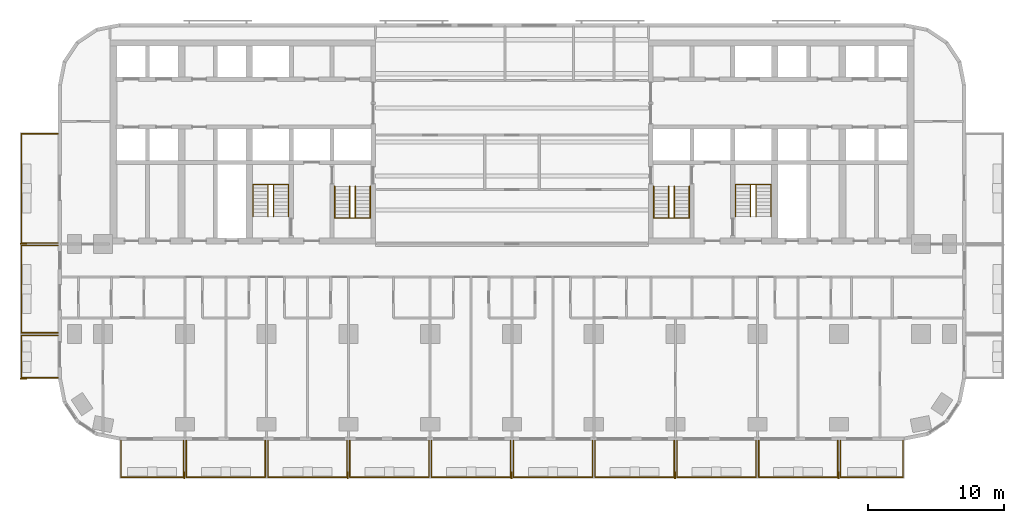
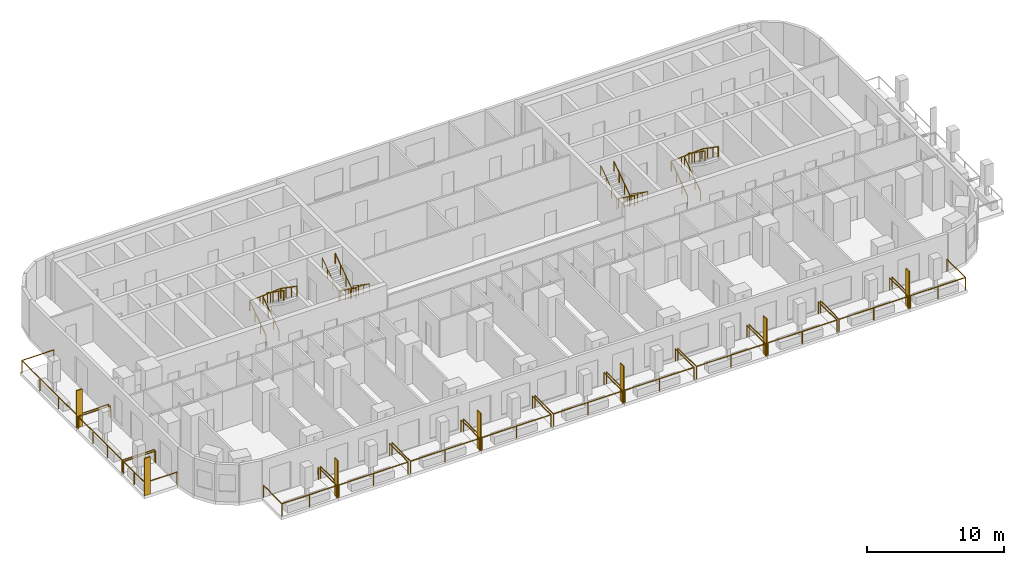
# One storey, part 13 of 15: 21 railings, 7 shading devices.
"""IFC4 building model written with IfcOpenShell, lengths in metres."""

from ifc_helpers import new_model, si_unit, direction, frame, origin, origin_2d, place, context, subcontext, project, spatial, rectangle, circle, extrude, material, layer, layer_set, type_object, element, save


model = new_model("IFC4")

# Units and contexts
model_context = context("Model", 3, precision=1e-05, world=origin(), true_north=direction((0.0, 1.0)))
body_context = subcontext(model_context, "Body", "Model", "MODEL_VIEW")
ifc_project = project(units=[si_unit("LENGTHUNIT", "METRE"), si_unit("AREAUNIT", "SQUARE_METRE"), si_unit("VOLUMEUNIT", "CUBIC_METRE"), si_unit("PLANEANGLEUNIT", "RADIAN"), si_unit("MASSUNIT", "GRAM", prefix="KILO")], contexts=[model_context])

# Site, building, storey
site_placement = place(None, origin())
site = spatial("IfcSite", under=ifc_project, at=site_placement, CompositionType="ELEMENT")
building_placement = place(site_placement, origin())
building = spatial("IfcBuilding", under=site, at=building_placement, Name="Torana Hotel and Residences", CompositionType="ELEMENT")
storey_placement = place(building_placement, frame((0.0, 0.0, 52.800048828125)))
storey = spatial("IfcBuildingStorey", under=building, at=storey_placement, Name="L12", CompositionType="ELEMENT", Elevation=52.800048828125)

# Shading devices
ifc_material_1 = material(Name="Black powder coated aluminium", Category="aluminium")
ifc_layer = layer(ifc_material_1, 0.080078125)
ifc_layer_set = layer_set([ifc_layer], Name="FN1 VERTICAL FIN 500x80")
shading_device_type = type_object("IfcShadingDeviceType", Name="FN1 VERTICAL FIN 500x80", PredefinedType="USERDEFINED", material=ifc_layer_set)
for number, where, z_axis, x_axis, name in (
    (1, (-24.0400390625, -31.949951171875, 0.0), (0.0, 0.0, 1.0), (-1.0, 0.0, 0.0), "Fin 01"),
    (2, (-12.0400390625, -31.949951171875, 0.0), (0.0, 0.0, 1.0), (-1.0, 0.0, 0.0), "Fin 03"),
    (3, (-0.0400390625, -31.949951171875, 0.0), (0.0, 0.0, 1.0), (-1.0, 0.0, 0.0), "Fin 05"),
    (4, (11.9599609375, -31.949951171875, 0.0), (0.0, 0.0, 1.0), (-1.0, 0.0, 0.0), "Fin 07"),
    (5, (23.9599609375, -31.949951171875, 0.0), (0.0, 0.0, 1.0), (-1.0, 0.0, 0.0), "Fin 09"),
    (6, (-35.85009765625, -24.860107421875, 0.0), (0.0, 0.0, 1.0), (0.0, 1.0, 0.0), "Fin 11"),
    (7, (-35.85009765625, -14.9599609375, 0.0), (0.0, 0.0, 1.0), (0.0, 1.0, 0.0), "Fin 13"),
):
    element("IfcShadingDevice", number, at=place(storey_placement, frame(where, z_axis=z_axis, x_axis=x_axis)), inside=storey, type_object=shading_device_type, Name=name, ObjectType="FIN", PredefinedType="USERDEFINED", context=body_context, shape_type="SweptSolid", body=[
        extrude(rectangle(XDim=0.080078125, YDim=0.5, at=origin_2d()), origin(), (0.0, 0.0, 1.0), 3.320068359375),
    ])

# Railings
ifc_material_2 = material(Name="Laminated glass balustrade with black handrail", Category="glass")
railing_type_1 = type_object("IfcRailingType", Name="GR1 BALCONY GUARD 1100 GLASS", PredefinedType="GUARDRAIL", material=ifc_material_2)
railing_1_placement = place(storey_placement, frame((-24.10009765625, -29.39990234375, 0.0)))
element("IfcRailing", 8, at=railing_1_placement, inside=storey, type_object=railing_type_1, Name="Balcony guard 01", PredefinedType="GUARDRAIL", context=body_context, shape_type="SweptSolid", body=[
    extrude(circle(Radius=0.02392578125, at=origin_2d()), frame((0.0, 0.0, 1.076171875), z_axis=(0.0, -1.0, 0.0), x_axis=(1.0, 0.0, 0.0)), (0.0, 0.0, 1.0), 2.7001953125),
    extrude(circle(Radius=0.02392578125, at=origin_2d()), frame((0.0, -2.7001953125, 1.076171875), z_axis=(-1.0, 0.0, 0.0), x_axis=(0.0, -1.0, 0.0)), (0.0, 0.0, 1.0), 4.599853515625),
    extrude(circle(Radius=0.02392578125, at=origin_2d()), frame((-4.599853515625, -2.7001953125, 1.076171875), z_axis=(0.0, 1.0, 0.0), x_axis=(-1.0, 0.0, 0.0)), (0.0, 0.0, 1.0), 2.7001953125),
    extrude(circle(Radius=0.02099609375, at=origin_2d()), origin(), (0.0, 0.0, 1.0), 1.052001953125),
    extrude(circle(Radius=0.02099609375, at=origin_2d()), frame((0.0, -2.7001953125, 0.0)), (0.0, 0.0, 1.0), 1.052001953125),
    extrude(circle(Radius=0.02099609375, at=origin_2d()), frame((-2.2998046875, -2.7001953125, 0.0)), (0.0, 0.0, 1.0), 1.052001953125),
    extrude(circle(Radius=0.02099609375, at=origin_2d()), frame((-4.599853515625, -2.7001953125, 0.0)), (0.0, 0.0, 1.0), 1.052001953125),
    extrude(circle(Radius=0.02099609375, at=origin_2d()), frame((-4.599853515625, 0.0, 0.0)), (0.0, 0.0, 1.0), 1.052001953125),
])
for number, where, name in (
    (9, (-18.10009765625, -29.39990234375, 0.0), "Balcony guard 02"),
    (10, (-12.10009765625, -29.39990234375, 0.0), "Balcony guard 03"),
    (11, (-6.10009765625, -29.39990234375, 0.0), "Balcony guard 04"),
    (12, (-0.10009765625, -29.39990234375, 0.0), "Balcony guard 05"),
    (13, (5.89990234375, -29.39990234375, 0.0), "Balcony guard 06"),
    (14, (11.89990234375, -29.39990234375, 0.0), "Balcony guard 07"),
    (15, (17.89990234375, -29.39990234375, 0.0), "Balcony guard 08"),
    (16, (23.89990234375, -29.39990234375, 0.0), "Balcony guard 09"),
):
    element("IfcRailing", number, at=place(storey_placement, frame(where)), inside=storey, type_object=railing_type_1, Name=name, PredefinedType="GUARDRAIL", context=body_context, shape_type="SweptSolid", body=[
        extrude(circle(Radius=0.02392578125, at=origin_2d()), frame((0.0, 0.0, 1.076171875), z_axis=(0.0, -1.0, 0.0), x_axis=(1.0, 0.0, 0.0)), (0.0, 0.0, 1.0), 2.7001953125),
        extrude(circle(Radius=0.02392578125, at=origin_2d()), frame((0.0, -2.7001953125, 1.076171875), z_axis=(-1.0, 0.0, 0.0), x_axis=(0.0, -1.0, 0.0)), (0.0, 0.0, 1.0), 5.7998046875),
        extrude(circle(Radius=0.02392578125, at=origin_2d()), frame((-5.7998046875, -2.7001953125, 1.076171875), z_axis=(0.0, 1.0, 0.0), x_axis=(-1.0, 0.0, 0.0)), (0.0, 0.0, 1.0), 2.7001953125),
        extrude(circle(Radius=0.02099609375, at=origin_2d()), origin(), (0.0, 0.0, 1.0), 1.052001953125),
        extrude(circle(Radius=0.02099609375, at=origin_2d()), frame((0.0, -2.7001953125, 0.0)), (0.0, 0.0, 1.0), 1.052001953125),
        extrude(circle(Radius=0.02099609375, at=origin_2d()), frame((-2.89990234375, -2.7001953125, 0.0)), (0.0, 0.0, 1.0), 1.052001953125),
        extrude(circle(Radius=0.02099609375, at=origin_2d()), frame((-5.7998046875, -2.7001953125, 0.0)), (0.0, 0.0, 1.0), 1.052001953125),
        extrude(circle(Radius=0.02099609375, at=origin_2d()), frame((-5.7998046875, 0.0, 0.0)), (0.0, 0.0, 1.0), 1.052001953125),
    ])
railing_2_placement = place(storey_placement, frame((28.699951171875, -29.39990234375, 0.0)))
element("IfcRailing", 17, at=railing_2_placement, inside=storey, type_object=railing_type_1, Name="Balcony guard 10", PredefinedType="GUARDRAIL", context=body_context, shape_type="SweptSolid", body=[
    extrude(circle(Radius=0.02392578125, at=origin_2d()), frame((0.0, 0.0, 1.076171875), z_axis=(0.0, -1.0, 0.0), x_axis=(1.0, 0.0, 0.0)), (0.0, 0.0, 1.0), 2.7001953125),
    extrude(circle(Radius=0.02392578125, at=origin_2d()), frame((0.0, -2.7001953125, 1.076171875), z_axis=(-1.0, 0.0, 0.0), x_axis=(0.0, -1.0, 0.0)), (0.0, 0.0, 1.0), 4.599853515625),
    extrude(circle(Radius=0.02392578125, at=origin_2d()), frame((-4.599853515625, -2.7001953125, 1.076171875), z_axis=(0.0, 1.0, 0.0), x_axis=(-1.0, 0.0, 0.0)), (0.0, 0.0, 1.0), 2.7001953125),
    extrude(circle(Radius=0.02099609375, at=origin_2d()), origin(), (0.0, 0.0, 1.0), 1.052001953125),
    extrude(circle(Radius=0.02099609375, at=origin_2d()), frame((0.0, -2.7001953125, 0.0)), (0.0, 0.0, 1.0), 1.052001953125),
    extrude(circle(Radius=0.02099609375, at=origin_2d()), frame((-2.2998046875, -2.7001953125, 0.0)), (0.0, 0.0, 1.0), 1.052001953125),
    extrude(circle(Radius=0.02099609375, at=origin_2d()), frame((-4.599853515625, -2.7001953125, 0.0)), (0.0, 0.0, 1.0), 1.052001953125),
    extrude(circle(Radius=0.02099609375, at=origin_2d()), frame((-4.599853515625, 0.0, 0.0)), (0.0, 0.0, 1.0), 1.052001953125),
])
railing_3_placement = place(storey_placement, frame((-33.300048828125, -24.800048828125, 0.0)))
element("IfcRailing", 18, at=railing_3_placement, inside=storey, type_object=railing_type_1, Name="Balcony guard 11", PredefinedType="GUARDRAIL", context=body_context, shape_type="SweptSolid", body=[
    extrude(circle(Radius=0.02392578125, at=origin_2d()), frame((0.0, 0.0, 1.076171875), z_axis=(-1.0, 0.0, 0.0), x_axis=(0.0, -1.0, 0.0)), (0.0, 0.0, 1.0), 2.699951171875),
    extrude(circle(Radius=0.02392578125, at=origin_2d()), frame((-2.699951171875, 0.0, 1.076171875), z_axis=(0.0, 1.0, 0.0), x_axis=(-1.0, 0.0, 0.0)), (0.0, 0.0, 1.0), 3.10009765625),
    extrude(circle(Radius=0.02392578125, at=origin_2d()), frame((-2.699951171875, 3.10009765625, 1.076171875), z_axis=(1.0, 0.0, 0.0), x_axis=(0.0, 1.0, 0.0)), (0.0, 0.0, 1.0), 2.699951171875),
    extrude(circle(Radius=0.02099609375, at=origin_2d()), origin(), (0.0, 0.0, 1.0), 1.052001953125),
    extrude(circle(Radius=0.02099609375, at=origin_2d()), frame((-2.699951171875, 0.0, 0.0)), (0.0, 0.0, 1.0), 1.052001953125),
    extrude(circle(Radius=0.02099609375, at=origin_2d()), frame((-2.699951171875, 1.550048828125, 0.0)), (0.0, 0.0, 1.0), 1.052001953125),
    extrude(circle(Radius=0.02099609375, at=origin_2d()), frame((-2.699951171875, 3.10009765625, 0.0)), (0.0, 0.0, 1.0), 1.052001953125),
    extrude(circle(Radius=0.02099609375, at=origin_2d()), frame((0.0, 3.10009765625, 0.0)), (0.0, 0.0, 1.0), 1.052001953125),
])
railing_4_placement = place(storey_placement, frame((-33.300048828125, -21.5, 0.0)))
element("IfcRailing", 19, at=railing_4_placement, inside=storey, type_object=railing_type_1, Name="Balcony guard 12", PredefinedType="GUARDRAIL", context=body_context, shape_type="SweptSolid", body=[
    extrude(circle(Radius=0.02392578125, at=origin_2d()), frame((0.0, 0.0, 1.076171875), z_axis=(-1.0, 0.0, 0.0), x_axis=(0.0, -1.0, 0.0)), (0.0, 0.0, 1.0), 2.699951171875),
    extrude(circle(Radius=0.02392578125, at=origin_2d()), frame((-2.699951171875, 0.0, 1.076171875), z_axis=(0.0, 1.0, 0.0), x_axis=(-1.0, 0.0, 0.0)), (0.0, 0.0, 1.0), 6.39990234375),
    extrude(circle(Radius=0.02392578125, at=origin_2d()), frame((-2.699951171875, 6.39990234375, 1.076171875), z_axis=(1.0, 0.0, 0.0), x_axis=(0.0, 1.0, 0.0)), (0.0, 0.0, 1.0), 2.699951171875),
    extrude(circle(Radius=0.02099609375, at=origin_2d()), origin(), (0.0, 0.0, 1.0), 1.052001953125),
    extrude(circle(Radius=0.02099609375, at=origin_2d()), frame((-2.699951171875, 0.0, 0.0)), (0.0, 0.0, 1.0), 1.052001953125),
    extrude(circle(Radius=0.02099609375, at=origin_2d()), frame((-2.699951171875, 2.13330078125, 0.0)), (0.0, 0.0, 1.0), 1.052001953125),
    extrude(circle(Radius=0.02099609375, at=origin_2d()), frame((-2.699951171875, 4.2666015625, 0.0)), (0.0, 0.0, 1.0), 1.052001953125),
    extrude(circle(Radius=0.02099609375, at=origin_2d()), frame((-2.699951171875, 6.39990234375, 0.0)), (0.0, 0.0, 1.0), 1.052001953125),
    extrude(circle(Radius=0.02099609375, at=origin_2d()), frame((0.0, 6.39990234375, 0.0)), (0.0, 0.0, 1.0), 1.052001953125),
])
railing_5_placement = place(storey_placement, frame((-33.300048828125, -14.89990234375, 0.0)))
element("IfcRailing", 20, at=railing_5_placement, inside=storey, type_object=railing_type_1, Name="Balcony guard 13", PredefinedType="GUARDRAIL", context=body_context, shape_type="SweptSolid", body=[
    extrude(circle(Radius=0.02392578125, at=origin_2d()), frame((0.0, 0.0, 1.076171875), z_axis=(-1.0, 0.0, 0.0), x_axis=(0.0, -1.0, 0.0)), (0.0, 0.0, 1.0), 2.699951171875),
    extrude(circle(Radius=0.02392578125, at=origin_2d()), frame((-2.699951171875, 0.0, 1.076171875), z_axis=(0.0, 1.0, 0.0), x_axis=(-1.0, 0.0, 0.0)), (0.0, 0.0, 1.0), 8.0),
    extrude(circle(Radius=0.02392578125, at=origin_2d()), frame((-2.699951171875, 8.0, 1.076171875), z_axis=(1.0, 0.0, 0.0), x_axis=(0.0, 1.0, 0.0)), (0.0, 0.0, 1.0), 2.699951171875),
    extrude(circle(Radius=0.02099609375, at=origin_2d()), origin(), (0.0, 0.0, 1.0), 1.052001953125),
    extrude(circle(Radius=0.02099609375, at=origin_2d()), frame((-2.699951171875, 0.0, 0.0)), (0.0, 0.0, 1.0), 1.052001953125),
    extrude(circle(Radius=0.02099609375, at=origin_2d()), frame((-2.699951171875, 2.666748046875, 0.0)), (0.0, 0.0, 1.0), 1.052001953125),
    extrude(circle(Radius=0.02099609375, at=origin_2d()), frame((-2.699951171875, 5.333251953125, 0.0)), (0.0, 0.0, 1.0), 1.052001953125),
    extrude(circle(Radius=0.02099609375, at=origin_2d()), frame((-2.699951171875, 8.0, 0.0)), (0.0, 0.0, 1.0), 1.052001953125),
    extrude(circle(Radius=0.02099609375, at=origin_2d()), frame((0.0, 8.0, 0.0)), (0.0, 0.0, 1.0), 1.052001953125),
])
ifc_material_3 = material(Name="Stainless steel 316", Category="steel")
railing_type_2 = type_object("IfcRailingType", Name="STAIR HANDRAIL HR1 900", PredefinedType="HANDRAIL", material=ifc_material_3)
railing_6_placement = place(storey_placement, frame((-10.39990234375, -10.75, 0.179931640625)))
element("IfcRailing", 21, at=railing_6_placement, inside=storey, type_object=railing_type_2, Name="Handrail ST1 L12 O1", PredefinedType="HANDRAIL", context=body_context, shape_type="SweptSolid", body=[
    extrude(circle(Radius=0.02392578125, at=origin_2d()), frame((0.0, 0.0, 0.8759765625), z_axis=(0.0, -0.822182927502, 0.569223360136), x_axis=(1.0, 0.0, 0.0)), (0.0, 0.0, 1.0), 2.84619140625),
    extrude(circle(Radius=0.02392578125, at=origin_2d()), frame((0.0, -2.340087890625, 2.49609375), z_axis=(-0.997614115953, 0.0, 0.069036770278), x_axis=(0.0, -1.0, 0.0)), (0.0, 0.0, 1.0), 2.606201171875),
    extrude(circle(Radius=0.02392578125, at=origin_2d()), frame((-2.60009765625, -2.340087890625, 2.67578125), z_axis=(0.0, 0.822223072051, 0.569165371211), x_axis=(-1.0, 0.0, 0.0)), (0.0, 0.0, 1.0), 2.845947265625),
    extrude(circle(Radius=0.02099609375, at=origin_2d()), origin(), (0.0, 0.0, 1.0), 0.851806640625),
    extrude(circle(Radius=0.02099609375, at=origin_2d()), frame((0.0, -0.780029296875, 0.5400390625)), (0.0, 0.0, 1.0), 0.851806640625),
    extrude(circle(Radius=0.02099609375, at=origin_2d()), frame((0.0, -1.56005859375, 1.080078125)), (0.0, 0.0, 1.0), 0.851806640625),
    extrude(circle(Radius=0.02099609375, at=origin_2d()), frame((0.0, -2.340087890625, 1.6201171875)), (0.0, 0.0, 1.0), 0.851806640625),
    extrude(circle(Radius=0.02099609375, at=origin_2d()), frame((-0.86669921875, -2.340087890625, 1.68017578125)), (0.0, 0.0, 1.0), 0.851806640625),
    extrude(circle(Radius=0.02099609375, at=origin_2d()), frame((-1.7333984375, -2.340087890625, 1.739990234375)), (0.0, 0.0, 1.0), 0.851806640625),
    extrude(circle(Radius=0.02099609375, at=origin_2d()), frame((-2.60009765625, -2.340087890625, 1.800048828125)), (0.0, 0.0, 1.0), 0.851806640625),
    extrude(circle(Radius=0.02099609375, at=origin_2d()), frame((-2.60009765625, -1.56005859375, 2.340087890625)), (0.0, 0.0, 1.0), 0.851806640625),
    extrude(circle(Radius=0.02099609375, at=origin_2d()), frame((-2.60009765625, -0.780029296875, 2.8798828125)), (0.0, 0.0, 1.0), 0.851806640625),
    extrude(circle(Radius=0.02099609375, at=origin_2d()), frame((-2.60009765625, 0.0, 3.419921875)), (0.0, 0.0, 1.0), 0.851806640625),
])
railing_7_placement = place(storey_placement, frame((-11.5, -10.75, 0.179931640625)))
element("IfcRailing", 22, at=railing_7_placement, inside=storey, type_object=railing_type_2, Name="Handrail ST1 L12 I1", PredefinedType="HANDRAIL", context=body_context, shape_type="SweptSolid", body=[
    extrude(circle(Radius=0.02392578125, at=origin_2d()), frame((0.0, 0.0, 0.8759765625), z_axis=(0.0, -0.822182927502, 0.569223360136), x_axis=(1.0, 0.0, 0.0)), (0.0, 0.0, 1.0), 2.84619140625),
    extrude(circle(Radius=0.02392578125, at=origin_2d()), frame((0.0, -2.340087890625, 2.49609375), z_axis=(-0.911942338396, 0.0, 0.410318378143), x_axis=(0.0, -1.0, 0.0)), (0.0, 0.0, 1.0), 0.4384765625),
    extrude(circle(Radius=0.02392578125, at=origin_2d()), frame((-0.39990234375, -2.340087890625, 2.67578125), z_axis=(0.0, 0.822223072051, 0.569165371211), x_axis=(-1.0, 0.0, 0.0)), (0.0, 0.0, 1.0), 2.845947265625),
    extrude(circle(Radius=0.02099609375, at=origin_2d()), origin(), (0.0, 0.0, 1.0), 0.851806640625),
    extrude(circle(Radius=0.02099609375, at=origin_2d()), frame((0.0, -0.780029296875, 0.5400390625)), (0.0, 0.0, 1.0), 0.851806640625),
    extrude(circle(Radius=0.02099609375, at=origin_2d()), frame((0.0, -1.56005859375, 1.080078125)), (0.0, 0.0, 1.0), 0.851806640625),
    extrude(circle(Radius=0.02099609375, at=origin_2d()), frame((0.0, -2.340087890625, 1.6201171875)), (0.0, 0.0, 1.0), 0.851806640625),
    extrude(circle(Radius=0.02099609375, at=origin_2d()), frame((-0.39990234375, -2.340087890625, 1.800048828125)), (0.0, 0.0, 1.0), 0.851806640625),
    extrude(circle(Radius=0.02099609375, at=origin_2d()), frame((-0.39990234375, -1.56005859375, 2.340087890625)), (0.0, 0.0, 1.0), 0.851806640625),
    extrude(circle(Radius=0.02099609375, at=origin_2d()), frame((-0.39990234375, -0.780029296875, 2.8798828125)), (0.0, 0.0, 1.0), 0.851806640625),
    extrude(circle(Radius=0.02099609375, at=origin_2d()), frame((-0.39990234375, 0.0, 3.419921875)), (0.0, 0.0, 1.0), 0.851806640625),
])
railing_8_placement = place(storey_placement, frame((-19.0, -12.949951171875, 0.179931640625)))
element("IfcRailing", 23, at=railing_8_placement, inside=storey, type_object=railing_type_2, Name="Handrail ST2 L12 O1", PredefinedType="HANDRAIL", context=body_context, shape_type="SweptSolid", body=[
    extrude(circle(Radius=0.02392578125, at=origin_2d()), frame((0.0, 0.0, 0.8759765625), z_axis=(0.0, 0.822155131156, 0.569263506923), x_axis=(-1.0, 0.0, 0.0)), (0.0, 0.0, 1.0), 2.845947265625),
    extrude(circle(Radius=0.02392578125, at=origin_2d()), frame((0.0, 2.33984375, 2.49609375), z_axis=(0.997614115953, 0.0, 0.069036770278), x_axis=(0.0, 1.0, 0.0)), (0.0, 0.0, 1.0), 2.606201171875),
    extrude(circle(Radius=0.02392578125, at=origin_2d()), frame((2.60009765625, 2.33984375, 2.67578125), z_axis=(0.0, -0.822195280011, 0.569205517829), x_axis=(1.0, 0.0, 0.0)), (0.0, 0.0, 1.0), 2.845947265625),
    extrude(circle(Radius=0.02099609375, at=origin_2d()), origin(), (0.0, 0.0, 1.0), 0.851806640625),
    extrude(circle(Radius=0.02099609375, at=origin_2d()), frame((0.0, 0.780029296875, 0.5400390625)), (0.0, 0.0, 1.0), 0.851806640625),
    extrude(circle(Radius=0.02099609375, at=origin_2d()), frame((0.0, 1.559814453125, 1.080078125)), (0.0, 0.0, 1.0), 0.851806640625),
    extrude(circle(Radius=0.02099609375, at=origin_2d()), frame((0.0, 2.33984375, 1.6201171875)), (0.0, 0.0, 1.0), 0.851806640625),
    extrude(circle(Radius=0.02099609375, at=origin_2d()), frame((0.86669921875, 2.33984375, 1.68017578125)), (0.0, 0.0, 1.0), 0.851806640625),
    extrude(circle(Radius=0.02099609375, at=origin_2d()), frame((1.7333984375, 2.33984375, 1.739990234375)), (0.0, 0.0, 1.0), 0.851806640625),
    extrude(circle(Radius=0.02099609375, at=origin_2d()), frame((2.60009765625, 2.33984375, 1.800048828125)), (0.0, 0.0, 1.0), 0.851806640625),
    extrude(circle(Radius=0.02099609375, at=origin_2d()), frame((2.60009765625, 1.559814453125, 2.340087890625)), (0.0, 0.0, 1.0), 0.851806640625),
    extrude(circle(Radius=0.02099609375, at=origin_2d()), frame((2.60009765625, 0.780029296875, 2.8798828125)), (0.0, 0.0, 1.0), 0.851806640625),
    extrude(circle(Radius=0.02099609375, at=origin_2d()), frame((2.60009765625, 0.0, 3.419921875)), (0.0, 0.0, 1.0), 0.851806640625),
])
railing_9_placement = place(storey_placement, frame((-17.89990234375, -12.949951171875, 0.179931640625)))
element("IfcRailing", 24, at=railing_9_placement, inside=storey, type_object=railing_type_2, Name="Handrail ST2 L12 I1", PredefinedType="HANDRAIL", context=body_context, shape_type="SweptSolid", body=[
    extrude(circle(Radius=0.02392578125, at=origin_2d()), frame((0.0, 0.0, 0.8759765625), z_axis=(0.0, 0.822155131156, 0.569263506923), x_axis=(-1.0, 0.0, 0.0)), (0.0, 0.0, 1.0), 2.845947265625),
    extrude(circle(Radius=0.02392578125, at=origin_2d()), frame((0.0, 2.33984375, 2.49609375), z_axis=(0.911942338396, 0.0, 0.410318378143), x_axis=(0.0, 1.0, 0.0)), (0.0, 0.0, 1.0), 0.4384765625),
    extrude(circle(Radius=0.02392578125, at=origin_2d()), frame((0.39990234375, 2.33984375, 2.67578125), z_axis=(0.0, -0.822195280011, 0.569205517829), x_axis=(1.0, 0.0, 0.0)), (0.0, 0.0, 1.0), 2.845947265625),
    extrude(circle(Radius=0.02099609375, at=origin_2d()), origin(), (0.0, 0.0, 1.0), 0.851806640625),
    extrude(circle(Radius=0.02099609375, at=origin_2d()), frame((0.0, 0.780029296875, 0.5400390625)), (0.0, 0.0, 1.0), 0.851806640625),
    extrude(circle(Radius=0.02099609375, at=origin_2d()), frame((0.0, 1.559814453125, 1.080078125)), (0.0, 0.0, 1.0), 0.851806640625),
    extrude(circle(Radius=0.02099609375, at=origin_2d()), frame((0.0, 2.33984375, 1.6201171875)), (0.0, 0.0, 1.0), 0.851806640625),
    extrude(circle(Radius=0.02099609375, at=origin_2d()), frame((0.39990234375, 2.33984375, 1.800048828125)), (0.0, 0.0, 1.0), 0.851806640625),
    extrude(circle(Radius=0.02099609375, at=origin_2d()), frame((0.39990234375, 1.559814453125, 2.340087890625)), (0.0, 0.0, 1.0), 0.851806640625),
    extrude(circle(Radius=0.02099609375, at=origin_2d()), frame((0.39990234375, 0.780029296875, 2.8798828125)), (0.0, 0.0, 1.0), 0.851806640625),
    extrude(circle(Radius=0.02099609375, at=origin_2d()), frame((0.39990234375, 0.0, 3.419921875)), (0.0, 0.0, 1.0), 0.851806640625),
])
railing_10_placement = place(storey_placement, frame((13.0, -10.75, 0.179931640625)))
element("IfcRailing", 25, at=railing_10_placement, inside=storey, type_object=railing_type_2, Name="Handrail ST3 L12 O1", PredefinedType="HANDRAIL", context=body_context, shape_type="SweptSolid", body=[
    extrude(circle(Radius=0.02392578125, at=origin_2d()), frame((0.0, 0.0, 0.8759765625), z_axis=(0.0, -0.822182927502, 0.569223360136), x_axis=(1.0, 0.0, 0.0)), (0.0, 0.0, 1.0), 2.84619140625),
    extrude(circle(Radius=0.02392578125, at=origin_2d()), frame((0.0, -2.340087890625, 2.49609375), z_axis=(-0.997614115953, 0.0, 0.069036770278), x_axis=(0.0, -1.0, 0.0)), (0.0, 0.0, 1.0), 2.606201171875),
    extrude(circle(Radius=0.02392578125, at=origin_2d()), frame((-2.60009765625, -2.340087890625, 2.67578125), z_axis=(0.0, 0.822223072051, 0.569165371211), x_axis=(-1.0, 0.0, 0.0)), (0.0, 0.0, 1.0), 2.845947265625),
    extrude(circle(Radius=0.02099609375, at=origin_2d()), origin(), (0.0, 0.0, 1.0), 0.851806640625),
    extrude(circle(Radius=0.02099609375, at=origin_2d()), frame((0.0, -0.780029296875, 0.5400390625)), (0.0, 0.0, 1.0), 0.851806640625),
    extrude(circle(Radius=0.02099609375, at=origin_2d()), frame((0.0, -1.56005859375, 1.080078125)), (0.0, 0.0, 1.0), 0.851806640625),
    extrude(circle(Radius=0.02099609375, at=origin_2d()), frame((0.0, -2.340087890625, 1.6201171875)), (0.0, 0.0, 1.0), 0.851806640625),
    extrude(circle(Radius=0.02099609375, at=origin_2d()), frame((-0.86669921875, -2.340087890625, 1.68017578125)), (0.0, 0.0, 1.0), 0.851806640625),
    extrude(circle(Radius=0.02099609375, at=origin_2d()), frame((-1.7333984375, -2.340087890625, 1.739990234375)), (0.0, 0.0, 1.0), 0.851806640625),
    extrude(circle(Radius=0.02099609375, at=origin_2d()), frame((-2.60009765625, -2.340087890625, 1.800048828125)), (0.0, 0.0, 1.0), 0.851806640625),
    extrude(circle(Radius=0.02099609375, at=origin_2d()), frame((-2.60009765625, -1.56005859375, 2.340087890625)), (0.0, 0.0, 1.0), 0.851806640625),
    extrude(circle(Radius=0.02099609375, at=origin_2d()), frame((-2.60009765625, -0.780029296875, 2.8798828125)), (0.0, 0.0, 1.0), 0.851806640625),
    extrude(circle(Radius=0.02099609375, at=origin_2d()), frame((-2.60009765625, 0.0, 3.419921875)), (0.0, 0.0, 1.0), 0.851806640625),
])
railing_11_placement = place(storey_placement, frame((11.89990234375, -10.75, 0.179931640625)))
element("IfcRailing", 26, at=railing_11_placement, inside=storey, type_object=railing_type_2, Name="Handrail ST3 L12 I1", PredefinedType="HANDRAIL", context=body_context, shape_type="SweptSolid", body=[
    extrude(circle(Radius=0.02392578125, at=origin_2d()), frame((0.0, 0.0, 0.8759765625), z_axis=(0.0, -0.822182927502, 0.569223360136), x_axis=(1.0, 0.0, 0.0)), (0.0, 0.0, 1.0), 2.84619140625),
    extrude(circle(Radius=0.02392578125, at=origin_2d()), frame((0.0, -2.340087890625, 2.49609375), z_axis=(-0.911942338396, 0.0, 0.410318378143), x_axis=(0.0, -1.0, 0.0)), (0.0, 0.0, 1.0), 0.4384765625),
    extrude(circle(Radius=0.02392578125, at=origin_2d()), frame((-0.39990234375, -2.340087890625, 2.67578125), z_axis=(0.0, 0.822223072051, 0.569165371211), x_axis=(-1.0, 0.0, 0.0)), (0.0, 0.0, 1.0), 2.845947265625),
    extrude(circle(Radius=0.02099609375, at=origin_2d()), origin(), (0.0, 0.0, 1.0), 0.851806640625),
    extrude(circle(Radius=0.02099609375, at=origin_2d()), frame((0.0, -0.780029296875, 0.5400390625)), (0.0, 0.0, 1.0), 0.851806640625),
    extrude(circle(Radius=0.02099609375, at=origin_2d()), frame((0.0, -1.56005859375, 1.080078125)), (0.0, 0.0, 1.0), 0.851806640625),
    extrude(circle(Radius=0.02099609375, at=origin_2d()), frame((0.0, -2.340087890625, 1.6201171875)), (0.0, 0.0, 1.0), 0.851806640625),
    extrude(circle(Radius=0.02099609375, at=origin_2d()), frame((-0.39990234375, -2.340087890625, 1.800048828125)), (0.0, 0.0, 1.0), 0.851806640625),
    extrude(circle(Radius=0.02099609375, at=origin_2d()), frame((-0.39990234375, -1.56005859375, 2.340087890625)), (0.0, 0.0, 1.0), 0.851806640625),
    extrude(circle(Radius=0.02099609375, at=origin_2d()), frame((-0.39990234375, -0.780029296875, 2.8798828125)), (0.0, 0.0, 1.0), 0.851806640625),
    extrude(circle(Radius=0.02099609375, at=origin_2d()), frame((-0.39990234375, 0.0, 3.419921875)), (0.0, 0.0, 1.0), 0.851806640625),
])
railing_12_placement = place(storey_placement, frame((16.39990234375, -12.949951171875, 0.179931640625)))
element("IfcRailing", 27, at=railing_12_placement, inside=storey, type_object=railing_type_2, Name="Handrail ST4 L12 O1", PredefinedType="HANDRAIL", context=body_context, shape_type="SweptSolid", body=[
    extrude(circle(Radius=0.02392578125, at=origin_2d()), frame((0.0, 0.0, 0.8759765625), z_axis=(0.0, 0.822155131156, 0.569263506923), x_axis=(-1.0, 0.0, 0.0)), (0.0, 0.0, 1.0), 2.845947265625),
    extrude(circle(Radius=0.02392578125, at=origin_2d()), frame((0.0, 2.33984375, 2.49609375), z_axis=(0.997614115953, 0.0, 0.069036770278), x_axis=(0.0, 1.0, 0.0)), (0.0, 0.0, 1.0), 2.606201171875),
    extrude(circle(Radius=0.02392578125, at=origin_2d()), frame((2.60009765625, 2.33984375, 2.67578125), z_axis=(0.0, -0.822195280011, 0.569205517829), x_axis=(1.0, 0.0, 0.0)), (0.0, 0.0, 1.0), 2.845947265625),
    extrude(circle(Radius=0.02099609375, at=origin_2d()), origin(), (0.0, 0.0, 1.0), 0.851806640625),
    extrude(circle(Radius=0.02099609375, at=origin_2d()), frame((0.0, 0.780029296875, 0.5400390625)), (0.0, 0.0, 1.0), 0.851806640625),
    extrude(circle(Radius=0.02099609375, at=origin_2d()), frame((0.0, 1.559814453125, 1.080078125)), (0.0, 0.0, 1.0), 0.851806640625),
    extrude(circle(Radius=0.02099609375, at=origin_2d()), frame((0.0, 2.33984375, 1.6201171875)), (0.0, 0.0, 1.0), 0.851806640625),
    extrude(circle(Radius=0.02099609375, at=origin_2d()), frame((0.86669921875, 2.33984375, 1.68017578125)), (0.0, 0.0, 1.0), 0.851806640625),
    extrude(circle(Radius=0.02099609375, at=origin_2d()), frame((1.7333984375, 2.33984375, 1.739990234375)), (0.0, 0.0, 1.0), 0.851806640625),
    extrude(circle(Radius=0.02099609375, at=origin_2d()), frame((2.60009765625, 2.33984375, 1.800048828125)), (0.0, 0.0, 1.0), 0.851806640625),
    extrude(circle(Radius=0.02099609375, at=origin_2d()), frame((2.60009765625, 1.559814453125, 2.340087890625)), (0.0, 0.0, 1.0), 0.851806640625),
    extrude(circle(Radius=0.02099609375, at=origin_2d()), frame((2.60009765625, 0.780029296875, 2.8798828125)), (0.0, 0.0, 1.0), 0.851806640625),
    extrude(circle(Radius=0.02099609375, at=origin_2d()), frame((2.60009765625, 0.0, 3.419921875)), (0.0, 0.0, 1.0), 0.851806640625),
])
railing_13_placement = place(storey_placement, frame((17.5, -12.949951171875, 0.179931640625)))
element("IfcRailing", 28, at=railing_13_placement, inside=storey, type_object=railing_type_2, Name="Handrail ST4 L12 I1", PredefinedType="HANDRAIL", context=body_context, shape_type="SweptSolid", body=[
    extrude(circle(Radius=0.02392578125, at=origin_2d()), frame((0.0, 0.0, 0.8759765625), z_axis=(0.0, 0.822155131156, 0.569263506923), x_axis=(-1.0, 0.0, 0.0)), (0.0, 0.0, 1.0), 2.845947265625),
    extrude(circle(Radius=0.02392578125, at=origin_2d()), frame((0.0, 2.33984375, 2.49609375), z_axis=(0.911942338396, 0.0, 0.410318378143), x_axis=(0.0, 1.0, 0.0)), (0.0, 0.0, 1.0), 0.4384765625),
    extrude(circle(Radius=0.02392578125, at=origin_2d()), frame((0.39990234375, 2.33984375, 2.67578125), z_axis=(0.0, -0.822195280011, 0.569205517829), x_axis=(1.0, 0.0, 0.0)), (0.0, 0.0, 1.0), 2.845947265625),
    extrude(circle(Radius=0.02099609375, at=origin_2d()), origin(), (0.0, 0.0, 1.0), 0.851806640625),
    extrude(circle(Radius=0.02099609375, at=origin_2d()), frame((0.0, 0.780029296875, 0.5400390625)), (0.0, 0.0, 1.0), 0.851806640625),
    extrude(circle(Radius=0.02099609375, at=origin_2d()), frame((0.0, 1.559814453125, 1.080078125)), (0.0, 0.0, 1.0), 0.851806640625),
    extrude(circle(Radius=0.02099609375, at=origin_2d()), frame((0.0, 2.33984375, 1.6201171875)), (0.0, 0.0, 1.0), 0.851806640625),
    extrude(circle(Radius=0.02099609375, at=origin_2d()), frame((0.39990234375, 2.33984375, 1.800048828125)), (0.0, 0.0, 1.0), 0.851806640625),
    extrude(circle(Radius=0.02099609375, at=origin_2d()), frame((0.39990234375, 1.559814453125, 2.340087890625)), (0.0, 0.0, 1.0), 0.851806640625),
    extrude(circle(Radius=0.02099609375, at=origin_2d()), frame((0.39990234375, 0.780029296875, 2.8798828125)), (0.0, 0.0, 1.0), 0.851806640625),
    extrude(circle(Radius=0.02099609375, at=origin_2d()), frame((0.39990234375, 0.0, 3.419921875)), (0.0, 0.0, 1.0), 0.851806640625),
])

save(model, "model.ifc")
